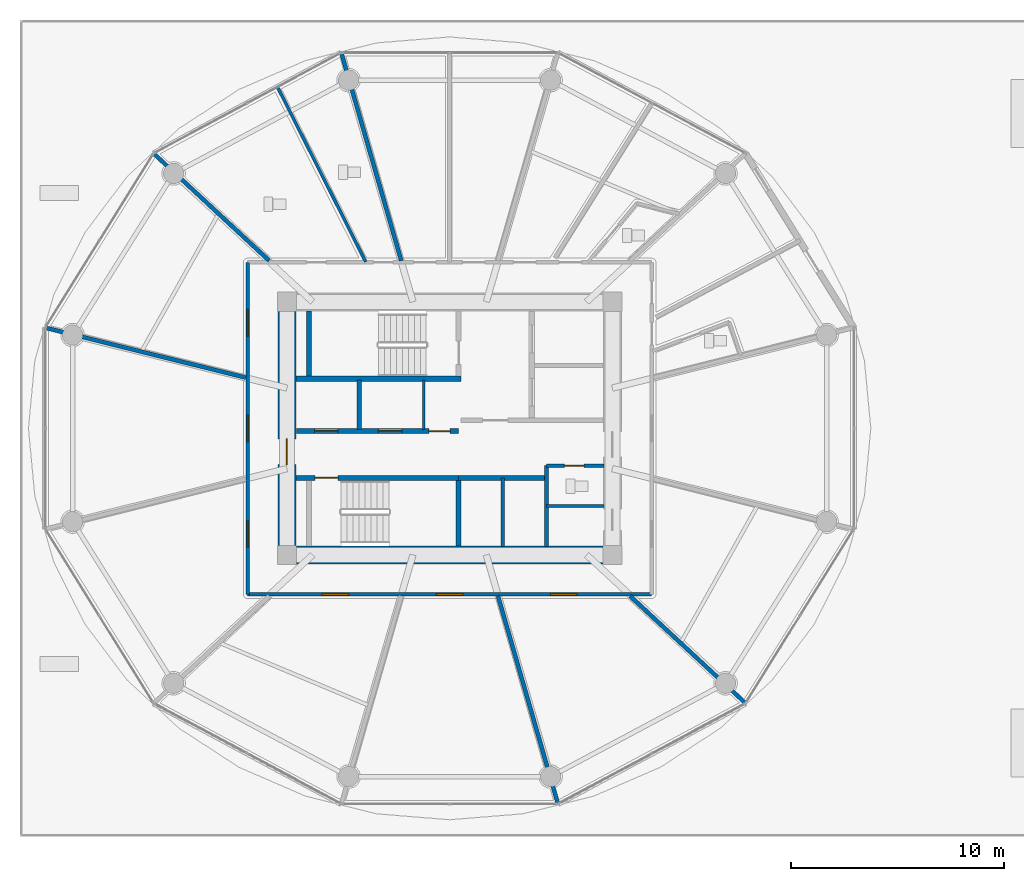
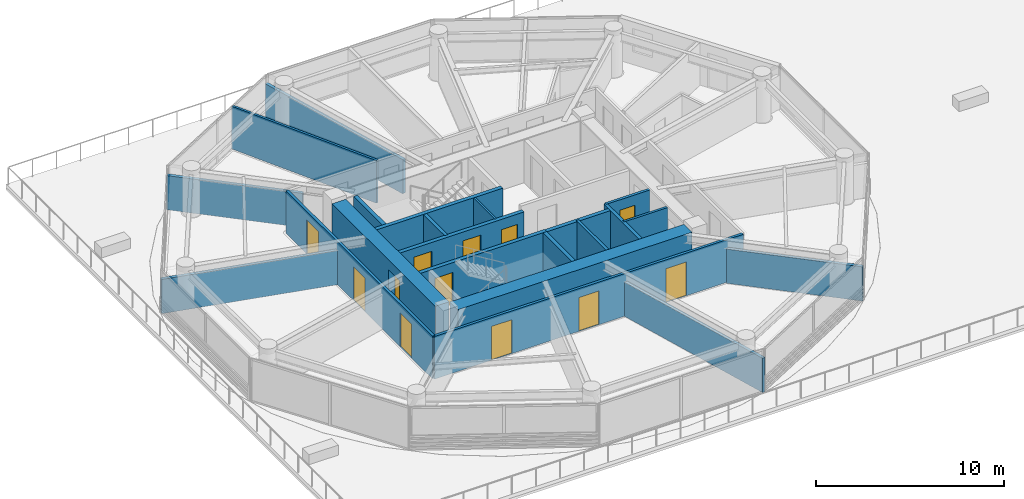
# One storey, part 15 of 32: 22 walls, 12 doors, 12 openings.
"""IFC4 building model written with IfcOpenShell, lengths in metres."""

from ifc_helpers import new_model, si_unit, direction, frame, frame_2d, origin, place, context, subcontext, project, spatial, rectangle, extrude, source, transform, mapped, material, layer, layer_set, type_object, type_shapes, element, fill, save


model = new_model("IFC4")

# Units and contexts
model_context = context("Model", 3, precision=1e-05, world=origin(), true_north=direction((0.0, 1.0)))
body_context = subcontext(model_context, "Body", "Model", "MODEL_VIEW")
ifc_project = project(units=[si_unit("LENGTHUNIT", "METRE"), si_unit("AREAUNIT", "SQUARE_METRE"), si_unit("VOLUMEUNIT", "CUBIC_METRE"), si_unit("PLANEANGLEUNIT", "RADIAN"), si_unit("MASSUNIT", "GRAM", prefix="KILO")], contexts=[model_context])

# Site, building, storey
site_placement = place(None, origin())
site = spatial("IfcSite", under=ifc_project, at=site_placement, CompositionType="ELEMENT")
building_placement = place(site_placement, origin())
building = spatial("IfcBuilding", under=site, at=building_placement, Name="Norrkilde Senior Care Towers", CompositionType="ELEMENT")
storey_placement = place(building_placement, frame((0.0, 0.0, 21.60009765625)))
storey = spatial("IfcBuildingStorey", under=building, at=storey_placement, Name="L05", CompositionType="ELEMENT", Elevation=21.60009765625)

# Wall
ifc_material_1 = material(Name="Concrete C60/75", Category="concrete")
ifc_layer_1 = layer(ifc_material_1, 0.85009765625)
ifc_layer_set_1 = layer_set([ifc_layer_1], Name="Concrete C60/75")
wall_type_1 = type_object("IfcWallType", Name="Core Shear Wall Z1 850", PredefinedType="SHEAR", material=ifc_layer_set_1)
shared_shape_1 = source(origin(), body_context, "Body", "SweptSolid", [
    extrude(rectangle(XDim=14.39990234375, YDim=0.85009765625, at=frame_2d((7.199951171875, 0.0))), origin(), (0.0, 0.0, 1.0), 2.789794921875),
])
wall_1_placement = place(storey_placement, frame((-20.800048828125, -5.949951171875, 0.0), z_axis=(0.0, 0.0, 1.0), x_axis=(-1.0, 0.0, 0.0)))
element("IfcWall", 1, at=wall_1_placement, inside=storey, type_object=wall_type_1, Name="L05 Core W South Shear Wall", PredefinedType="SHEAR", context=body_context, shape_type="MappedRepresentation", body=[
    mapped(shared_shape_1, transform((0.0, 0.0, 0.0), x_axis=(1.0, 0.0, 0.0), y_axis=(0.0, 1.0, 0.0), z_axis=(0.0, 0.0, 1.0), scale=1.0)),
])

# Wall, opening, door
shared_shape_2 = source(origin(), body_context, "Body", "SweptSolid", [
    extrude(rectangle(XDim=11.0, YDim=0.85009765625, at=frame_2d((5.5, 0.0))), origin(), (0.0, 0.0, 1.0), 2.789794921875),
])
type_shapes(wall_type_1, [shared_shape_1, shared_shape_2])
wall_2_placement = place(storey_placement, frame((-35.64990234375, -5.5, 0.0), z_axis=(0.0, 0.0, 1.0), x_axis=(0.0, 1.0, 0.0)))
wall_2 = element("IfcWall", 2, at=wall_2_placement, inside=storey, type_object=wall_type_1, Name="L05 Core W West Shear Wall", PredefinedType="SHEAR", context=body_context, shape_type="MappedRepresentation", body=[
    mapped(shared_shape_2, transform((0.0, 0.0, 0.0), x_axis=(1.0, 0.0, 0.0), y_axis=(0.0, 1.0, 0.0), z_axis=(0.0, 0.0, 1.0), scale=1.0)),
])
opening_1_placement = place(wall_2_placement, frame((3.800048828125, 0.0, 0.0)))
opening_1 = element("IfcOpeningElement", 3, at=opening_1_placement, cuts=wall_2, Name="Opening D-04", PredefinedType="OPENING", context=body_context, shape_type="SweptSolid", body=[
    extrude(rectangle(XDim=1.199951171875, YDim=2.14990234375, at=frame_2d((0.60009765625, 1.074951171875))), frame((0.0, 0.43505859375, 0.0), z_axis=(0.0, -1.0, 0.0), x_axis=(1.0, 0.0, 0.0)), (0.0, 0.0, 1.0), 0.8701171875),
])
ifc_material_2 = material(Name="Galvanised Painted Steel", Category="steel")
door_type_1 = type_object("IfcDoorType", Name="Firefighting Lobby Fire Door 1200x2150", OperationType="NOTDEFINED", PredefinedType="DOOR", material=ifc_material_2)
shared_shape_3 = source(origin(), body_context, "Body", "SweptSolid", [
    extrude(rectangle(XDim=1.199951171875, YDim=2.14990234375, at=frame_2d((0.60009765625, 1.074951171875))), frame((0.0, 0.02490234375, 0.0), z_axis=(0.0, -1.0, 0.0), x_axis=(1.0, 0.0, 0.0)), (0.0, 0.0, 1.0), 0.050048828125),
])
type_shapes(door_type_1, [shared_shape_3])
door_1_placement = place(opening_1_placement, frame((1.199951171875, 0.0, 0.0), z_axis=(0.0, 0.0, 1.0), x_axis=(-1.0, 0.0, 0.0)))
door_1 = element("IfcDoor", 4, at=door_1_placement, inside=storey, type_object=door_type_1, Name="L05 Core W West Portal Door", OperationType="SINGLE_SWING_LEFT", OverallHeight=2.14990234375, OverallWidth=1.199951171875, PredefinedType="DOOR", context=body_context, shape_type="MappedRepresentation", body=[
    mapped(shared_shape_3, transform((0.0, 0.0, 0.0), x_axis=(1.0, 0.0, 0.0), y_axis=(0.0, 1.0, 0.0), z_axis=(0.0, 0.0, 1.0), scale=1.0)),
])
fill(opening_1, door_1)

# Wall
ifc_material_3 = material(Name="Concrete C45/55", Category="concrete")
ifc_layer_2 = layer(ifc_material_3, 0.239990234375)
ifc_layer_set_2 = layer_set([ifc_layer_2], Name="Concrete C45/55")
wall_type_2 = type_object("IfcWallType", Name="Shaft and Stair Enclosure Wall 240", PredefinedType="PARTITIONING", material=ifc_layer_set_2)
shared_shape_4 = source(origin(), body_context, "Body", "SweptSolid", [
    extrude(rectangle(XDim=7.76513671875, YDim=0.239990234375, at=frame_2d((3.882568359375, 0.0))), origin(), (0.0, 0.0, 1.0), 2.789794921875),
])
wall_3_placement = place(storey_placement, frame((-35.22509765625, 2.330078125, 0.0), z_axis=(0.0, 0.0, 1.0), x_axis=(1.0, 0.0, 0.0)))
element("IfcWall", 5, at=wall_3_placement, inside=storey, type_object=wall_type_2, Name="WL-INT-L05-W-ST1S", PredefinedType="PARTITIONING", context=body_context, shape_type="MappedRepresentation", body=[
    mapped(shared_shape_4, transform((0.0, 0.0, 0.0), x_axis=(1.0, 0.0, 0.0), y_axis=(0.0, 1.0, 0.0), z_axis=(0.0, 0.0, 1.0), scale=1.0)),
])

# Wall, opening, door
wall_4_placement = place(storey_placement, frame((-35.22509765625, -2.330078125, 0.0), z_axis=(0.0, 0.0, 1.0), x_axis=(1.0, 0.0, 0.0)))
wall_4 = element("IfcWall", 6, at=wall_4_placement, inside=storey, type_object=wall_type_2, Name="WL-INT-L05-W-ST2N", PredefinedType="PARTITIONING", context=body_context, shape_type="MappedRepresentation", body=[
    mapped(shared_shape_4, transform((0.0, 0.0, 0.0), x_axis=(1.0, 0.0, 0.0), y_axis=(0.0, 1.0, 0.0), z_axis=(0.0, 0.0, 1.0), scale=1.0)),
])
opening_2_placement = place(wall_4_placement, frame((0.885009765625, 0.0, 0.0)))
opening_2 = element("IfcOpeningElement", 7, at=opening_2_placement, cuts=wall_4, Name="Opening D-03", PredefinedType="OPENING", context=body_context, shape_type="SweptSolid", body=[
    extrude(rectangle(XDim=1.10009765625, YDim=2.14990234375, at=frame_2d((0.550048828125, 1.074951171875))), frame((0.0, 0.1298828125, 0.0), z_axis=(0.0, -1.0, 0.0), x_axis=(1.0, 0.0, 0.0)), (0.0, 0.0, 1.0), 0.260009765625),
])
door_type_2 = type_object("IfcDoorType", Name="Stairwell Protected Fire Door 1100x2150", OperationType="NOTDEFINED", PredefinedType="DOOR", material=ifc_material_2)
shared_shape_5 = source(origin(), body_context, "Body", "SweptSolid", [
    extrude(rectangle(XDim=1.10009765625, YDim=2.14990234375, at=frame_2d((0.550048828125, 1.074951171875))), frame((0.0, 0.02490234375, 0.0), z_axis=(0.0, -1.0, 0.0), x_axis=(1.0, 0.0, 0.0)), (0.0, 0.0, 1.0), 0.050048828125),
])
type_shapes(door_type_2, [shared_shape_5])
door_2_placement = place(opening_2_placement, frame((1.10009765625, 0.0, 0.0), z_axis=(0.0, 0.0, 1.0), x_axis=(-1.0, 0.0, 0.0)))
door_2 = element("IfcDoor", 8, at=door_2_placement, inside=storey, type_object=door_type_2, Name="L05 Stair W2 Fire Door", OperationType="SINGLE_SWING_RIGHT", OverallHeight=2.14990234375, OverallWidth=1.10009765625, PredefinedType="DOOR", context=body_context, shape_type="MappedRepresentation", body=[
    mapped(shared_shape_5, transform((0.0, 0.0, 0.0), x_axis=(1.0, 0.0, 0.0), y_axis=(0.0, 1.0, 0.0), z_axis=(0.0, 0.0, 1.0), scale=1.0)),
])
fill(opening_2, door_2)

# Walls
shared_shape_6 = source(origin(), body_context, "Body", "SweptSolid", [
    extrude(rectangle(XDim=3.074951171875, YDim=0.239990234375, at=frame_2d((1.53759765625, 0.0))), origin(), (0.0, 0.0, 1.0), 2.789794921875),
])
type_shapes(wall_type_2, [shared_shape_4, shared_shape_6])
for number, where, z_axis, x_axis, name in (
    (9, (-34.6201171875, 2.449951171875, 0.0), (0.0, 0.0, 1.0), (0.0, 1.0, 0.0), "WL-INT-L05-W-ST1W"),
    (10, (-27.580078125, -5.52490234375, 0.0), (0.0, 0.0, 1.0), (0.0, 1.0, 0.0), "WL-INT-L05-W-ST2E"),
):
    element("IfcWall", number, at=place(storey_placement, frame(where, z_axis=z_axis, x_axis=x_axis)), inside=storey, type_object=wall_type_2, Name=name, PredefinedType="PARTITIONING", context=body_context, shape_type="MappedRepresentation", body=[
        mapped(shared_shape_6, transform((0.0, 0.0, 0.0), x_axis=(1.0, 0.0, 0.0), y_axis=(0.0, 1.0, 0.0), z_axis=(0.0, 0.0, 1.0), scale=1.0)),
    ])

# Wall, openings, doors
ifc_layer_3 = layer(ifc_material_3, 0.239990234375)
ifc_layer_set_3 = layer_set([ifc_layer_3], Name="Concrete C45/55")
wall_type_3 = type_object("IfcWallType", Name="Lift and Plant Rated Enclosure Partition 240", PredefinedType="PARTITIONING", material=ifc_layer_set_3)
shared_shape_7 = source(origin(), body_context, "Body", "SweptSolid", [
    extrude(rectangle(XDim=7.619873046875, YDim=0.239990234375, at=frame_2d((3.81005859375, 0.0))), origin(), (0.0, 0.0, 1.0), 2.77490234375),
])
wall_5_placement = place(storey_placement, frame((-35.199951171875, -0.1298828125, 0.0), z_axis=(0.0, 0.0, 1.0), x_axis=(1.0, 0.0, 0.0)))
wall_5 = element("IfcWall", 11, at=wall_5_placement, inside=storey, type_object=wall_type_3, Name="WL-INT-L05-W-PKAS", PredefinedType="PARTITIONING", context=body_context, shape_type="MappedRepresentation", body=[
    mapped(shared_shape_7, transform((0.0, 0.0, 0.0), x_axis=(1.0, 0.0, 0.0), y_axis=(0.0, 1.0, 0.0), z_axis=(0.0, 0.0, 1.0), scale=1.0)),
])
opening_3_placement = place(wall_5_placement, frame((6.219970703125, 0.0, 0.0)))
opening_3 = element("IfcOpeningElement", 12, at=opening_3_placement, cuts=wall_5, Name="Opening D-10", PredefinedType="OPENING", context=body_context, shape_type="SweptSolid", body=[
    extrude(rectangle(XDim=1.0, YDim=2.10009765625, at=frame_2d((0.5, 1.050048828125))), frame((0.0, 0.1298828125, 0.0), z_axis=(0.0, -1.0, 0.0), x_axis=(1.0, 0.0, 0.0)), (0.0, 0.0, 1.0), 0.260009765625),
])
opening_4_placement = place(wall_5_placement, frame((0.85009765625, 0.0, 0.0)))
opening_4 = element("IfcOpeningElement", 13, at=opening_4_placement, cuts=wall_5, Name="Opening LD-01", PredefinedType="OPENING", context=body_context, shape_type="SweptSolid", body=[
    extrude(rectangle(XDim=1.10009765625, YDim=2.199951171875, at=frame_2d((0.550048828125, 1.10009765625))), frame((0.0, 0.1298828125, 0.0), z_axis=(0.0, -1.0, 0.0), x_axis=(1.0, 0.0, 0.0)), (0.0, 0.0, 1.0), 0.260009765625),
])
opening_5_placement = place(wall_5_placement, frame((3.85009765625, 0.0, 0.0)))
opening_5 = element("IfcOpeningElement", 14, at=opening_5_placement, cuts=wall_5, Name="Opening LD-01", PredefinedType="OPENING", context=body_context, shape_type="SweptSolid", body=[
    extrude(rectangle(XDim=1.10009765625, YDim=2.199951171875, at=frame_2d((0.550048828125, 1.10009765625))), frame((0.0, 0.1298828125, 0.0), z_axis=(0.0, -1.0, 0.0), x_axis=(1.0, 0.0, 0.0)), (0.0, 0.0, 1.0), 0.260009765625),
])
door_type_3 = type_object("IfcDoorType", Name="Plant and Riser Rated Door 1000x2100", OperationType="NOTDEFINED", PredefinedType="DOOR", material=ifc_material_2)
shared_shape_8 = source(origin(), body_context, "Body", "SweptSolid", [
    extrude(rectangle(XDim=1.0, YDim=2.10009765625, at=frame_2d((0.5, 1.050048828125))), frame((0.0, 0.02490234375, 0.0), z_axis=(0.0, -1.0, 0.0), x_axis=(1.0, 0.0, 0.0)), (0.0, 0.0, 1.0), 0.050048828125),
])
type_shapes(door_type_3, [shared_shape_8])
door_3_placement = place(opening_3_placement, frame((1.0, 0.0, 0.0), z_axis=(0.0, 0.0, 1.0), x_axis=(-1.0, 0.0, 0.0)))
door_3 = element("IfcDoor", 15, at=door_3_placement, inside=storey, type_object=door_type_3, Name="L05 Electrical Riser W Door", OperationType="SINGLE_SWING_LEFT", OverallHeight=2.10009765625, OverallWidth=1.0, PredefinedType="DOOR", context=body_context, shape_type="MappedRepresentation", body=[
    mapped(shared_shape_8, transform((0.0, 0.0, 0.0), x_axis=(1.0, 0.0, 0.0), y_axis=(0.0, 1.0, 0.0), z_axis=(0.0, 0.0, 1.0), scale=1.0)),
])
fill(opening_3, door_3)
ifc_material_4 = material(Name="Stainless Steel", Category="steel")
door_type_4 = type_object("IfcDoorType", Name="Lift Landing Sliding Door 1100x2200", OperationType="NOTDEFINED", PredefinedType="DOOR", material=ifc_material_4)
shared_shape_9 = source(origin(), body_context, "Body", "SweptSolid", [
    extrude(rectangle(XDim=1.10009765625, YDim=2.199951171875, at=frame_2d((0.550048828125, 1.10009765625))), frame((0.0, 0.02490234375, 0.0), z_axis=(0.0, -1.0, 0.0), x_axis=(1.0, 0.0, 0.0)), (0.0, 0.0, 1.0), 0.050048828125),
])
type_shapes(door_type_4, [shared_shape_9])
door_4_placement = place(opening_4_placement, origin())
door_4 = element("IfcDoor", 16, at=door_4_placement, inside=storey, type_object=door_type_4, Name="L05 Passenger Lift W1 Landing Door", OperationType="SLIDING_TO_LEFT", OverallHeight=2.199951171875, OverallWidth=1.10009765625, PredefinedType="DOOR", context=body_context, shape_type="MappedRepresentation", body=[
    mapped(shared_shape_9, transform((0.0, 0.0, 0.0), x_axis=(1.0, 0.0, 0.0), y_axis=(0.0, 1.0, 0.0), z_axis=(0.0, 0.0, 1.0), scale=1.0)),
])
fill(opening_4, door_4)
door_5_placement = place(opening_5_placement, origin())
door_5 = element("IfcDoor", 17, at=door_5_placement, inside=storey, type_object=door_type_4, Name="L05 Passenger Lift W2 Landing Door", OperationType="SLIDING_TO_RIGHT", OverallHeight=2.199951171875, OverallWidth=1.10009765625, PredefinedType="DOOR", context=body_context, shape_type="MappedRepresentation", body=[
    mapped(shared_shape_9, transform((0.0, 0.0, 0.0), x_axis=(1.0, 0.0, 0.0), y_axis=(0.0, 1.0, 0.0), z_axis=(0.0, 0.0, 1.0), scale=1.0)),
])
fill(opening_5, door_5)

# Walls
ifc_material_5 = material(Name="Gypsum Acoustic Board")
ifc_layer_4 = layer(ifc_material_5, 0.114990234375)
ifc_layer_set_4 = layer_set([ifc_layer_4], Name="Gypsum Acoustic Board")
wall_type_4 = type_object("IfcWallType", Name="Internal Room Partition 115", PredefinedType="PARTITIONING", material=ifc_layer_set_4)
shared_shape_10 = source(origin(), body_context, "Body", "SweptSolid", [
    extrude(rectangle(XDim=2.330078125, YDim=0.114990234375, at=frame_2d((1.1650390625, 0.0))), origin(), (0.0, 0.0, 1.0), 2.77490234375),
])
type_shapes(wall_type_4, [shared_shape_10])
wall_6_placement = place(storey_placement, frame((-29.2099609375, -0.050048828125, 0.0), z_axis=(0.0, 0.0, 1.0), x_axis=(0.0, 1.0, 0.0)))
element("IfcWall", 18, at=wall_6_placement, inside=storey, type_object=wall_type_4, Name="WL-INT-L05-W-RISW", PredefinedType="PARTITIONING", context=body_context, shape_type="MappedRepresentation", body=[
    mapped(shared_shape_10, transform((0.0, 0.0, 0.0), x_axis=(1.0, 0.0, 0.0), y_axis=(0.0, 1.0, 0.0), z_axis=(0.0, 0.0, 1.0), scale=1.0)),
])
ifc_layer_5 = layer(ifc_material_3, 0.199951171875)
ifc_layer_set_5 = layer_set([ifc_layer_5], Name="Concrete C45/55")
wall_type_5 = type_object("IfcWallType", Name="Shaft Division and Plant Partition 200", PredefinedType="PARTITIONING", material=ifc_layer_set_5)
shared_shape_11 = source(origin(), body_context, "Body", "SweptSolid", [
    extrude(rectangle(XDim=2.330078125, YDim=0.199951171875, at=frame_2d((1.1650390625, 0.0))), origin(), (0.0, 0.0, 1.0), 2.77490234375),
])
wall_7_placement = place(storey_placement, frame((-32.25, -0.050048828125, 0.0), z_axis=(0.0, 0.0, 1.0), x_axis=(0.0, 1.0, 0.0)))
element("IfcWall", 19, at=wall_7_placement, inside=storey, type_object=wall_type_5, Name="WL-INT-L05-W-PL12", PredefinedType="PARTITIONING", context=body_context, shape_type="MappedRepresentation", body=[
    mapped(shared_shape_11, transform((0.0, 0.0, 0.0), x_axis=(1.0, 0.0, 0.0), y_axis=(0.0, 1.0, 0.0), z_axis=(0.0, 0.0, 1.0), scale=1.0)),
])
shared_shape_12 = source(origin(), body_context, "Body", "SweptSolid", [
    extrude(rectangle(XDim=3.800048828125, YDim=0.199951171875, at=frame_2d((1.89990234375, 0.0))), origin(), (0.0, 0.0, 1.0), 2.77490234375),
])
type_shapes(wall_type_5, [shared_shape_11, shared_shape_12])
wall_8_placement = place(storey_placement, frame((-23.449951171875, -5.550048828125, 0.0), z_axis=(0.0, 0.0, 1.0), x_axis=(0.0, 1.0, 0.0)))
element("IfcWall", 20, at=wall_8_placement, inside=storey, type_object=wall_type_5, Name="WL-INT-L05-W-PKBE", PredefinedType="PARTITIONING", context=body_context, shape_type="MappedRepresentation", body=[
    mapped(shared_shape_12, transform((0.0, 0.0, 0.0), x_axis=(1.0, 0.0, 0.0), y_axis=(0.0, 1.0, 0.0), z_axis=(0.0, 0.0, 1.0), scale=1.0)),
])
shared_shape_13 = source(origin(), body_context, "Body", "SweptSolid", [
    extrude(rectangle(XDim=4.130126953125, YDim=0.239990234375, at=frame_2d((2.06494140625, 0.0))), origin(), (0.0, 0.0, 1.0), 2.77490234375),
])
type_shapes(wall_type_3, [shared_shape_7, shared_shape_13])
wall_9_placement = place(storey_placement, frame((-27.580078125, -2.330078125, 0.0), z_axis=(0.0, 0.0, 1.0), x_axis=(1.0, 0.0, 0.0)))
element("IfcWall", 21, at=wall_9_placement, inside=storey, type_object=wall_type_3, Name="WL-INT-L05-W-PKBN", PredefinedType="PARTITIONING", context=body_context, shape_type="MappedRepresentation", body=[
    mapped(shared_shape_13, transform((0.0, 0.0, 0.0), x_axis=(1.0, 0.0, 0.0), y_axis=(0.0, 1.0, 0.0), z_axis=(0.0, 0.0, 1.0), scale=1.0)),
])
ifc_layer_6 = layer(ifc_material_3, 0.179931640625)
ifc_layer_set_6 = layer_set([ifc_layer_6], Name="Concrete C45/55")
wall_type_6 = type_object("IfcWallType", Name="Hoistway Division Rated Partition 180", PredefinedType="PARTITIONING", material=ifc_layer_set_6)
shared_shape_14 = source(origin(), body_context, "Body", "SweptSolid", [
    extrude(rectangle(XDim=3.219970703125, YDim=0.179931640625, at=frame_2d((1.60986328125, 0.0))), origin(), (0.0, 0.0, 1.0), 2.77490234375),
])
type_shapes(wall_type_6, [shared_shape_14])
wall_10_placement = place(storey_placement, frame((-25.5, -5.550048828125, 0.0), z_axis=(0.0, 0.0, 1.0), x_axis=(0.0, 1.0, 0.0)))
element("IfcWall", 22, at=wall_10_placement, inside=storey, type_object=wall_type_6, Name="WL-INT-L05-W-PL34", PredefinedType="PARTITIONING", context=body_context, shape_type="MappedRepresentation", body=[
    mapped(shared_shape_14, transform((0.0, 0.0, 0.0), x_axis=(1.0, 0.0, 0.0), y_axis=(0.0, 1.0, 0.0), z_axis=(0.0, 0.0, 1.0), scale=1.0)),
])

# Wall, opening, door
ifc_layer_7 = layer(ifc_material_5, 0.1650390625)
ifc_layer_set_7 = layer_set([ifc_layer_7], Name="Gypsum Acoustic Board")
wall_type_7 = type_object("IfcWallType", Name="Corridor Rated Partition 165", PredefinedType="PARTITIONING", material=ifc_layer_set_7)
shared_shape_15 = source(origin(), body_context, "Body", "SweptSolid", [
    extrude(rectangle(XDim=2.699951171875, YDim=0.1650390625, at=frame_2d((1.35009765625, 0.0))), origin(), (0.0, 0.0, 1.0), 2.77490234375),
])
wall_11_placement = place(storey_placement, frame((-23.449951171875, -1.75, 0.0), z_axis=(0.0, 0.0, 1.0), x_axis=(1.0, 0.0, 0.0)))
wall_11 = element("IfcWall", 23, at=wall_11_placement, inside=storey, type_object=wall_type_7, Name="WL-INT-L05-W-CSN", PredefinedType="PARTITIONING", context=body_context, shape_type="MappedRepresentation", body=[
    mapped(shared_shape_15, transform((0.0, 0.0, 0.0), x_axis=(1.0, 0.0, 0.0), y_axis=(0.0, 1.0, 0.0), z_axis=(0.0, 0.0, 1.0), scale=1.0)),
])
opening_6_placement = place(wall_11_placement, frame((0.85009765625, 0.0, 0.0)))
opening_6 = element("IfcOpeningElement", 24, at=opening_6_placement, cuts=wall_11, Name="Opening D-12", PredefinedType="OPENING", context=body_context, shape_type="SweptSolid", body=[
    extrude(rectangle(XDim=0.925048828125, YDim=2.10009765625, at=frame_2d((0.46240234375, 1.050048828125))), frame((0.0, 0.092529296875, 0.0), z_axis=(0.0, -1.0, 0.0), x_axis=(1.0, 0.0, 0.0)), (0.0, 0.0, 1.0), 0.18505859375),
])
door_type_5 = type_object("IfcDoorType", Name="Core Wet Room Rated Door 925x2100", OperationType="NOTDEFINED", PredefinedType="DOOR", material=ifc_material_2)
shared_shape_16 = source(origin(), body_context, "Body", "SweptSolid", [
    extrude(rectangle(XDim=0.925048828125, YDim=2.10009765625, at=frame_2d((0.46240234375, 1.050048828125))), frame((0.0, 0.02490234375, 0.0), z_axis=(0.0, -1.0, 0.0), x_axis=(1.0, 0.0, 0.0)), (0.0, 0.0, 1.0), 0.050048828125),
])
type_shapes(door_type_5, [shared_shape_16])
door_6_placement = place(opening_6_placement, origin())
door_6 = element("IfcDoor", 25, at=door_6_placement, inside=storey, type_object=door_type_5, Name="L05 Staff WC W Door", OperationType="SINGLE_SWING_LEFT", OverallHeight=2.10009765625, OverallWidth=0.925048828125, PredefinedType="DOOR", context=body_context, shape_type="MappedRepresentation", body=[
    mapped(shared_shape_16, transform((0.0, 0.0, 0.0), x_axis=(1.0, 0.0, 0.0), y_axis=(0.0, 1.0, 0.0), z_axis=(0.0, 0.0, 1.0), scale=1.0)),
])
fill(opening_6, door_6)

# Wall
ifc_layer_8 = layer(ifc_material_5, 0.139892578125)
ifc_layer_set_8 = layer_set([ifc_layer_8], Name="Gypsum Acoustic Board")
wall_type_8 = type_object("IfcWallType", Name="En-suite Wet Room Wall 140", PredefinedType="PARTITIONING", material=ifc_layer_set_8)
shared_shape_17 = source(origin(), body_context, "Body", "SweptSolid", [
    extrude(rectangle(XDim=2.699951171875, YDim=0.139892578125, at=frame_2d((1.35009765625, 0.0))), origin(), (0.0, 0.0, 1.0), 2.77490234375),
])
wall_12_placement = place(storey_placement, frame((-23.449951171875, -3.64990234375, 0.0), z_axis=(0.0, 0.0, 1.0), x_axis=(1.0, 0.0, 0.0)))
element("IfcWall", 26, at=wall_12_placement, inside=storey, type_object=wall_type_8, Name="WL-INT-L05-W-CS2H", PredefinedType="PARTITIONING", context=body_context, shape_type="MappedRepresentation", body=[
    mapped(shared_shape_17, transform((0.0, 0.0, 0.0), x_axis=(1.0, 0.0, 0.0), y_axis=(0.0, 1.0, 0.0), z_axis=(0.0, 0.0, 1.0), scale=1.0)),
])

# Wall, openings, doors
shared_shape_18 = source(origin(), body_context, "Body", "SweptSolid", [
    extrude(rectangle(XDim=19.0, YDim=0.1650390625, at=frame_2d((9.5, 0.0))), origin(), (0.0, 0.0, 1.0), 2.77490234375),
])
wall_13_placement = place(storey_placement, frame((-18.5, -7.800048828125, 0.0), z_axis=(0.0, 0.0, 1.0), x_axis=(-1.0, 0.0, 0.0)))
wall_13 = element("IfcWall", 27, at=wall_13_placement, inside=storey, type_object=wall_type_7, Name="WL-INT-L05-W-CRW-S-0", PredefinedType="PARTITIONING", context=body_context, shape_type="MappedRepresentation", body=[
    mapped(shared_shape_18, transform((0.0, 0.0, 0.0), x_axis=(1.0, 0.0, 0.0), y_axis=(0.0, 1.0, 0.0), z_axis=(0.0, 0.0, 1.0), scale=1.0)),
])
opening_7_placement = place(wall_13_placement, frame((14.244384765625, 0.0, 0.0)))
opening_7 = element("IfcOpeningElement", 28, at=opening_7_placement, cuts=wall_13, Name="Opening D-05", PredefinedType="OPENING", context=body_context, shape_type="SweptSolid", body=[
    extrude(rectangle(XDim=1.25, YDim=2.199951171875, at=frame_2d((0.625, 1.10009765625))), frame((0.0, 0.092529296875, 0.0), z_axis=(0.0, -1.0, 0.0), x_axis=(1.0, 0.0, 0.0)), (0.0, 0.0, 1.0), 0.18505859375),
])
opening_8_placement = place(wall_13_placement, frame((8.875, 0.0, 0.0)))
opening_8 = element("IfcOpeningElement", 29, at=opening_8_placement, cuts=wall_13, Name="Opening D-05", PredefinedType="OPENING", context=body_context, shape_type="SweptSolid", body=[
    extrude(rectangle(XDim=1.25, YDim=2.199951171875, at=frame_2d((0.625, 1.10009765625))), frame((0.0, 0.092529296875, 0.0), z_axis=(0.0, -1.0, 0.0), x_axis=(1.0, 0.0, 0.0)), (0.0, 0.0, 1.0), 0.18505859375),
])
opening_9_placement = place(wall_13_placement, frame((3.505615234375, 0.0, 0.0)))
opening_9 = element("IfcOpeningElement", 30, at=opening_9_placement, cuts=wall_13, Name="Opening D-05", PredefinedType="OPENING", context=body_context, shape_type="SweptSolid", body=[
    extrude(rectangle(XDim=1.25, YDim=2.199951171875, at=frame_2d((0.625, 1.10009765625))), frame((0.0, 0.092529296875, 0.0), z_axis=(0.0, -1.0, 0.0), x_axis=(1.0, 0.0, 0.0)), (0.0, 0.0, 1.0), 0.18505859375),
])
ifc_material_6 = material(Name="Nordic Ash Timber", Category="wood")
door_type_6 = type_object("IfcDoorType", Name="Care Bedroom Bariatric Door 1250x2200", OperationType="NOTDEFINED", PredefinedType="DOOR", material=ifc_material_6)
shared_shape_19 = source(origin(), body_context, "Body", "SweptSolid", [
    extrude(rectangle(XDim=1.25, YDim=2.199951171875, at=frame_2d((0.625, 1.10009765625))), frame((0.0, 0.02490234375, 0.0), z_axis=(0.0, -1.0, 0.0), x_axis=(1.0, 0.0, 0.0)), (0.0, 0.0, 1.0), 0.050048828125),
])
type_shapes(door_type_6, [shared_shape_19])
door_7_placement = place(opening_7_placement, frame((1.25, 0.0, 0.0), z_axis=(0.0, 0.0, 1.0), x_axis=(-1.0, 0.0, 0.0)))
door_7 = element("IfcDoor", 31, at=door_7_placement, inside=storey, type_object=door_type_6, Name="L05 Household Communal Dining Salon Door", OperationType="SINGLE_SWING_RIGHT", OverallHeight=2.199951171875, OverallWidth=1.25, PredefinedType="DOOR", context=body_context, shape_type="MappedRepresentation", body=[
    mapped(shared_shape_19, transform((0.0, 0.0, 0.0), x_axis=(1.0, 0.0, 0.0), y_axis=(0.0, 1.0, 0.0), z_axis=(0.0, 0.0, 1.0), scale=1.0)),
])
fill(opening_7, door_7)
door_8_placement = place(opening_8_placement, frame((1.25, 0.0, 0.0), z_axis=(0.0, 0.0, 1.0), x_axis=(-1.0, 0.0, 0.0)))
door_8 = element("IfcDoor", 32, at=door_8_placement, inside=storey, type_object=door_type_6, Name="L05 Resident Family Conference Room Door", OperationType="SINGLE_SWING_LEFT", OverallHeight=2.199951171875, OverallWidth=1.25, PredefinedType="DOOR", context=body_context, shape_type="MappedRepresentation", body=[
    mapped(shared_shape_19, transform((0.0, 0.0, 0.0), x_axis=(1.0, 0.0, 0.0), y_axis=(0.0, 1.0, 0.0), z_axis=(0.0, 0.0, 1.0), scale=1.0)),
])
fill(opening_8, door_8)
door_9_placement = place(opening_9_placement, frame((1.25, 0.0, 0.0), z_axis=(0.0, 0.0, 1.0), x_axis=(-1.0, 0.0, 0.0)))
door_9 = element("IfcDoor", 33, at=door_9_placement, inside=storey, type_object=door_type_6, Name="L05 Geriatric Rehabilitation Clinic Door", OperationType="SINGLE_SWING_RIGHT", OverallHeight=2.199951171875, OverallWidth=1.25, PredefinedType="DOOR", context=body_context, shape_type="MappedRepresentation", body=[
    mapped(shared_shape_19, transform((0.0, 0.0, 0.0), x_axis=(1.0, 0.0, 0.0), y_axis=(0.0, 1.0, 0.0), z_axis=(0.0, 0.0, 1.0), scale=1.0)),
])
fill(opening_9, door_9)

shared_shape_20 = source(origin(), body_context, "Body", "SweptSolid", [
    extrude(rectangle(XDim=15.60009765625, YDim=0.1650390625, at=frame_2d((7.800048828125, 0.0))), origin(), (0.0, 0.0, 1.0), 2.77490234375),
])
type_shapes(wall_type_7, [shared_shape_15, shared_shape_18, shared_shape_20])
wall_14_placement = place(storey_placement, frame((-37.5, -7.800048828125, 0.0), z_axis=(0.0, 0.0, 1.0), x_axis=(0.0, 1.0, 0.0)))
wall_14 = element("IfcWall", 34, at=wall_14_placement, inside=storey, type_object=wall_type_7, Name="WL-INT-L05-W-CRW-W-0", PredefinedType="PARTITIONING", context=body_context, shape_type="MappedRepresentation", body=[
    mapped(shared_shape_20, transform((0.0, 0.0, 0.0), x_axis=(1.0, 0.0, 0.0), y_axis=(0.0, 1.0, 0.0), z_axis=(0.0, 0.0, 1.0), scale=1.0)),
])
opening_10_placement = place(wall_14_placement, frame((12.141357421875, 0.0, 0.0)))
opening_10 = element("IfcOpeningElement", 35, at=opening_10_placement, cuts=wall_14, Name="Opening D-05", PredefinedType="OPENING", context=body_context, shape_type="SweptSolid", body=[
    extrude(rectangle(XDim=1.25, YDim=2.199951171875, at=frame_2d((0.625, 1.10009765625))), frame((0.0, 0.092529296875, 0.0), z_axis=(0.0, -1.0, 0.0), x_axis=(1.0, 0.0, 0.0)), (0.0, 0.0, 1.0), 0.18505859375),
])
opening_11_placement = place(wall_14_placement, frame((7.175048828125, 0.0, 0.0)))
opening_11 = element("IfcOpeningElement", 36, at=opening_11_placement, cuts=wall_14, Name="Opening D-05", PredefinedType="OPENING", context=body_context, shape_type="SweptSolid", body=[
    extrude(rectangle(XDim=1.25, YDim=2.199951171875, at=frame_2d((0.625, 1.10009765625))), frame((0.0, 0.092529296875, 0.0), z_axis=(0.0, -1.0, 0.0), x_axis=(1.0, 0.0, 0.0)), (0.0, 0.0, 1.0), 0.18505859375),
])
opening_12_placement = place(wall_14_placement, frame((2.20849609375, 0.0, 0.0)))
opening_12 = element("IfcOpeningElement", 37, at=opening_12_placement, cuts=wall_14, Name="Opening D-05", PredefinedType="OPENING", context=body_context, shape_type="SweptSolid", body=[
    extrude(rectangle(XDim=1.25, YDim=2.199951171875, at=frame_2d((0.625, 1.10009765625))), frame((0.0, 0.092529296875, 0.0), z_axis=(0.0, -1.0, 0.0), x_axis=(1.0, 0.0, 0.0)), (0.0, 0.0, 1.0), 0.18505859375),
])
door_10_placement = place(opening_10_placement, frame((1.25, 0.0, 0.0), z_axis=(0.0, 0.0, 1.0), x_axis=(-1.0, 0.0, 0.0)))
door_10 = element("IfcDoor", 38, at=door_10_placement, inside=storey, type_object=door_type_6, Name="L05 Resident Therapeutic Day Lounge Door", OperationType="SINGLE_SWING_LEFT", OverallHeight=2.199951171875, OverallWidth=1.25, PredefinedType="DOOR", context=body_context, shape_type="MappedRepresentation", body=[
    mapped(shared_shape_19, transform((0.0, 0.0, 0.0), x_axis=(1.0, 0.0, 0.0), y_axis=(0.0, 1.0, 0.0), z_axis=(0.0, 0.0, 1.0), scale=1.0)),
])
fill(opening_10, door_10)
door_11_placement = place(opening_11_placement, frame((1.25, 0.0, 0.0), z_axis=(0.0, 0.0, 1.0), x_axis=(-1.0, 0.0, 0.0)))
door_11 = element("IfcDoor", 39, at=door_11_placement, inside=storey, type_object=door_type_6, Name="L05 Household Therapeutic Kitchen Door", OperationType="SINGLE_SWING_RIGHT", OverallHeight=2.199951171875, OverallWidth=1.25, PredefinedType="DOOR", context=body_context, shape_type="MappedRepresentation", body=[
    mapped(shared_shape_19, transform((0.0, 0.0, 0.0), x_axis=(1.0, 0.0, 0.0), y_axis=(0.0, 1.0, 0.0), z_axis=(0.0, 0.0, 1.0), scale=1.0)),
])
fill(opening_11, door_11)
door_12_placement = place(opening_12_placement, frame((1.25, 0.0, 0.0), z_axis=(0.0, 0.0, 1.0), x_axis=(-1.0, 0.0, 0.0)))
door_12 = element("IfcDoor", 40, at=door_12_placement, inside=storey, type_object=door_type_6, Name="L05 Care Coordination Charting Office Door", OperationType="SINGLE_SWING_LEFT", OverallHeight=2.199951171875, OverallWidth=1.25, PredefinedType="DOOR", context=body_context, shape_type="MappedRepresentation", body=[
    mapped(shared_shape_19, transform((0.0, 0.0, 0.0), x_axis=(1.0, 0.0, 0.0), y_axis=(0.0, 1.0, 0.0), z_axis=(0.0, 0.0, 1.0), scale=1.0)),
])
fill(opening_12, door_12)

# Walls
ifc_layer_9 = layer(ifc_material_5, 0.18994140625)
ifc_layer_set_9 = layer_set([ifc_layer_9], Name="Gypsum Acoustic Board")
wall_type_9 = type_object("IfcWallType", Name="Unit Demising Acoustic Wall 190", PredefinedType="PARTITIONING", material=ifc_layer_set_9)
shared_shape_21 = source(origin(), body_context, "Body", "SweptSolid", [
    extrude(rectangle(XDim=7.4345703125, YDim=0.18994140625, at=frame_2d((3.71728515625, 0.0))), origin(), (0.0, 0.0, 1.0), 2.224853515625),
])
for number, where, z_axis, x_axis, name in (
    (41, (-36.48291015625, 7.8798828125, 0.0), (0.0, 0.0, 1.0), (-0.732651956848, 0.680603489652, 0.0), "WL-INT-L05-W-DEM-04-0"),
    (42, (-19.51708984375, -7.8798828125, 0.0), (0.0, 0.0, 1.0), (0.732651956848, -0.680603489652, 0.0), "WL-INT-L05-W-DEM-10-0"),
):
    element("IfcWall", number, at=place(storey_placement, frame(where, z_axis=z_axis, x_axis=x_axis)), inside=storey, type_object=wall_type_9, Name=name, PredefinedType="PARTITIONING", context=body_context, shape_type="MappedRepresentation", body=[
        mapped(shared_shape_21, transform((0.0, 0.0, 0.0), x_axis=(1.0, 0.0, 0.0), y_axis=(0.0, 1.0, 0.0), z_axis=(0.0, 0.0, 1.0), scale=1.0)),
    ])
shared_shape_22 = source(origin(), body_context, "Body", "SweptSolid", [
    extrude(rectangle(XDim=10.196044921875, YDim=0.18994140625, at=frame_2d((5.09814453125, 0.0))), origin(), (0.0, 0.0, 1.0), 2.224853515625),
])
for number, where, z_axis, x_axis, name in (
    (43, (-30.27294921875, 7.8798828125, 0.0), (0.0, 0.0, 1.0), (-0.277136420347, 0.960830580549, 0.0), "WL-INT-L05-W-DEM-03-0"),
    (44, (-25.72705078125, -7.8798828125, 0.0), (0.0, 0.0, 1.0), (0.277136420347, -0.960830580549, 0.0), "WL-INT-L05-W-DEM-09-0"),
):
    element("IfcWall", number, at=place(storey_placement, frame(where, z_axis=z_axis, x_axis=x_axis)), inside=storey, type_object=wall_type_9, Name=name, PredefinedType="PARTITIONING", context=body_context, shape_type="MappedRepresentation", body=[
        mapped(shared_shape_22, transform((0.0, 0.0, 0.0), x_axis=(1.0, 0.0, 0.0), y_axis=(0.0, 1.0, 0.0), z_axis=(0.0, 0.0, 1.0), scale=1.0)),
    ])
shared_shape_23 = source(origin(), body_context, "Body", "SweptSolid", [
    extrude(rectangle(XDim=9.22509765625, YDim=0.139892578125, at=frame_2d((4.612548828125, 0.0))), origin(), (0.0, 0.0, 1.0), 2.77490234375),
])
type_shapes(wall_type_8, [shared_shape_17, shared_shape_23])
wall_15_placement = place(storey_placement, frame((-31.94580078125, 7.830078125, 0.0), z_axis=(0.0, 0.0, 1.0), x_axis=(-0.450460543767, 0.892796336523, 0.0)))
element("IfcWall", 45, at=wall_15_placement, inside=storey, type_object=wall_type_8, Name="WL-INT-L05-W-MID-03", PredefinedType="PARTITIONING", context=body_context, shape_type="MappedRepresentation", body=[
    mapped(shared_shape_23, transform((0.0, 0.0, 0.0), x_axis=(1.0, 0.0, 0.0), y_axis=(0.0, 1.0, 0.0), z_axis=(0.0, 0.0, 1.0), scale=1.0)),
])
shared_shape_24 = source(origin(), body_context, "Body", "SweptSolid", [
    extrude(rectangle(XDim=9.737060546875, YDim=0.18994140625, at=frame_2d((4.86865234375, 0.0))), origin(), (0.0, 0.0, 1.0), 2.224853515625),
])
type_shapes(wall_type_9, [shared_shape_21, shared_shape_22, shared_shape_24])
wall_16_placement = place(storey_placement, frame((-37.580078125, 2.384521484375, 0.0), z_axis=(0.0, 0.0, 1.0), x_axis=(-0.970392716238, 0.241532557375, 0.0)))
element("IfcWall", 46, at=wall_16_placement, inside=storey, type_object=wall_type_9, Name="WL-INT-L05-W-DEM-05-0", PredefinedType="PARTITIONING", context=body_context, shape_type="MappedRepresentation", body=[
    mapped(shared_shape_24, transform((0.0, 0.0, 0.0), x_axis=(1.0, 0.0, 0.0), y_axis=(0.0, 1.0, 0.0), z_axis=(0.0, 0.0, 1.0), scale=1.0)),
])

save(model, "model.ifc")
